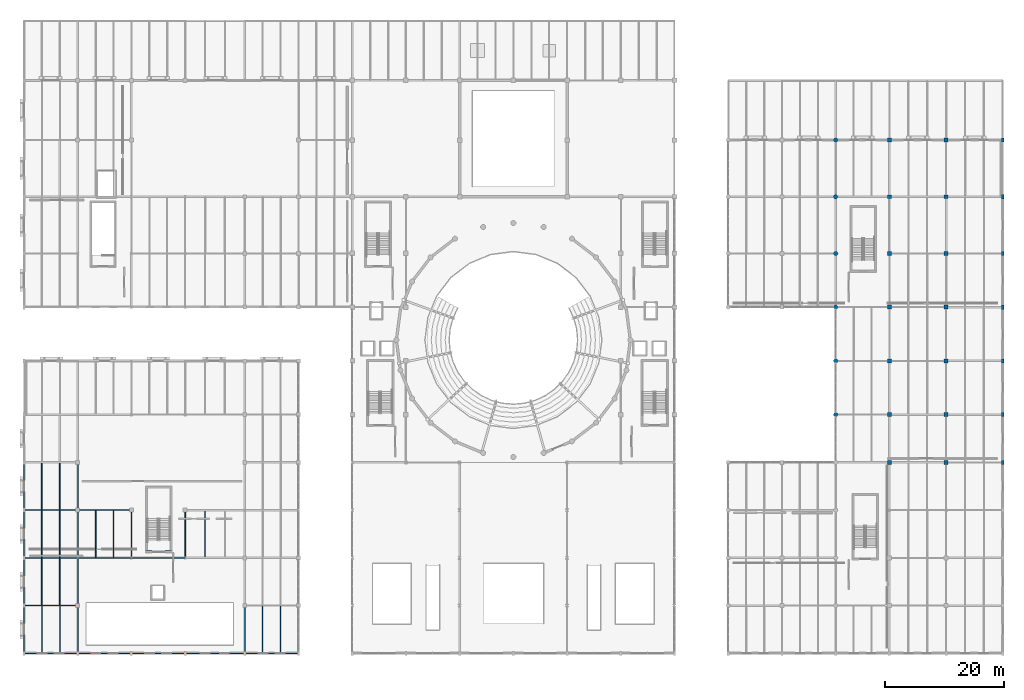
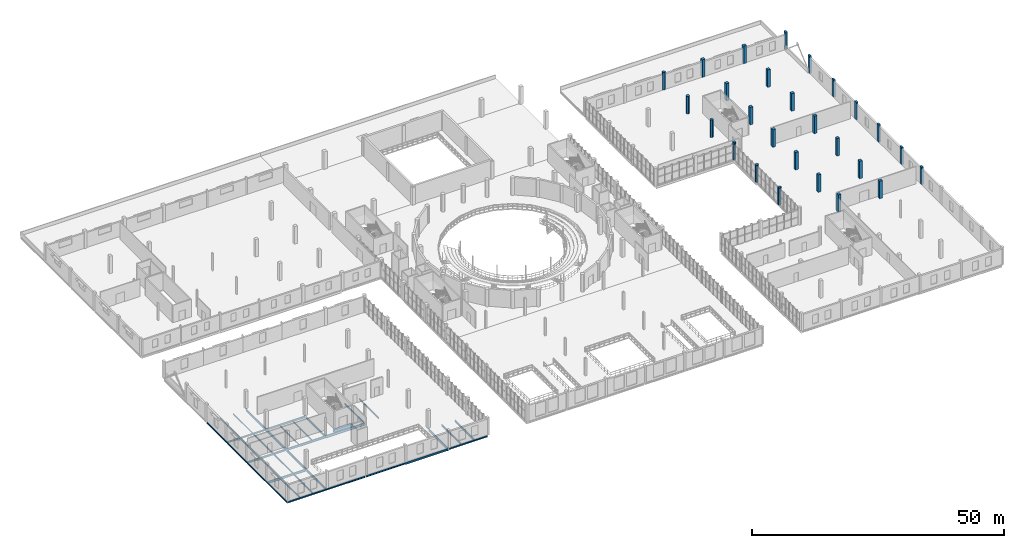
# One storey, part 17 of 85: 36 beams, 27 columns.
"""IFC4 building model written with IfcOpenShell, lengths in metres."""

from ifc_helpers import new_model, si_unit, direction, frame, origin, origin_2d, place, context, subcontext, project, spatial, rectangle, circle, i_section, extrude, material, material_profile, profile_set, type_object, element, save


model = new_model("IFC4")

# Units and contexts
model_context = context("Model", 3, precision=1e-05, world=origin(), true_north=direction((0.0, 1.0)))
body_context = subcontext(model_context, "Body", "Model", "MODEL_VIEW")
ifc_project = project(units=[si_unit("LENGTHUNIT", "METRE"), si_unit("AREAUNIT", "SQUARE_METRE"), si_unit("VOLUMEUNIT", "CUBIC_METRE"), si_unit("PLANEANGLEUNIT", "RADIAN"), si_unit("MASSUNIT", "GRAM", prefix="KILO")], contexts=[model_context])

# Site, building, storey
site_placement = place(None, origin())
site = spatial("IfcSite", under=ifc_project, at=site_placement, CompositionType="ELEMENT")
building_placement = place(site_placement, origin())
building = spatial("IfcBuilding", under=site, at=building_placement, Name="Marnock Terrace Opera House", CompositionType="ELEMENT")
storey_placement = place(building_placement, frame((0.0, 0.0, 10.199951171875)))
storey = spatial("IfcBuildingStorey", under=building, at=storey_placement, Name="L02", CompositionType="ELEMENT", Elevation=10.199951171875)

# Columns
ifc_material_1 = material(Name="Concrete N40 (f'c = 40 MPa)", Category="concrete")
ifc_material_profile_1 = material_profile(ifc_material_1, circle(Radius=0.35009765625, at=origin_2d()))
ifc_profile_set_1 = profile_set([ifc_material_profile_1], Name="Concrete N40 (f'c = 40 MPa)")
column_type_1 = type_object("IfcColumnType", Name="COL-LOGGIA-700", PredefinedType="COLUMN", material=ifc_profile_set_1)
for number, where, z_axis, x_axis, name in (
    (1, (136.0, 48.0, 0.0), (0.0, 0.0, 1.0), (1.0, 0.0, 0.0), "L02 column at (136.0, 48.0)"),
    (2, (136.0, 57.0, 0.0), (0.0, 0.0, 1.0), (1.0, 0.0, 0.0), "L02 column at (136.0, 57.0)"),
    (3, (136.0, 66.0, 0.0), (0.0, 0.0, 1.0), (1.0, 0.0, 0.0), "L02 column at (136.0, 66.0)"),
    (4, (136.0, 75.0, 0.0), (0.0, 0.0, 1.0), (1.0, 0.0, 0.0), "L02 column at (136.0, 75.0)"),
    (5, (136.0, 84.5, 0.0), (0.0, 0.0, 1.0), (1.0, 0.0, 0.0), "L02 column at (136.0, 84.5)"),
    (6, (136.0, 94.0, 0.0), (0.0, 0.0, 1.0), (1.0, 0.0, 0.0), "L02 column at (136.0, 94.0)"),
):
    element("IfcColumn", number, at=place(storey_placement, frame(where, z_axis=z_axis, x_axis=x_axis)), inside=storey, type_object=column_type_1, Name=name, PredefinedType="COLUMN", context=body_context, shape_type="SweptSolid", body=[
        extrude(circle(Radius=0.35009765625, at=origin_2d()), origin(), (0.0, 0.0, 1.0), 4.239990234375),
    ])
ifc_material_profile_2 = material_profile(ifc_material_1, rectangle(XDim=0.39990234375, YDim=0.699951171875, at=origin_2d()))
ifc_profile_set_2 = profile_set([ifc_material_profile_2], Name="Concrete N40 (f'c = 40 MPa)")
column_type_2 = type_object("IfcColumnType", Name="COL-PIL-700", PredefinedType="PILASTER", material=ifc_profile_set_2)
for number, where, z_axis, x_axis, name in (
    (7, (164.0, 40.0, 0.0), (0.0, 0.0, 1.0), (1.0, 0.0, 0.0), "L02 column at (164.0, 40.0)"),
    (8, (164.0, 48.0, 0.0), (0.0, 0.0, 1.0), (1.0, 0.0, 0.0), "L02 column at (164.0, 48.0)"),
    (9, (164.0, 57.0, 0.0), (0.0, 0.0, 1.0), (1.0, 0.0, 0.0), "L02 column at (164.0, 57.0)"),
    (10, (164.0, 66.0, 0.0), (0.0, 0.0, 1.0), (1.0, 0.0, 0.0), "L02 column at (164.0, 66.0)"),
    (11, (164.0, 75.0, 0.0), (0.0, 0.0, 1.0), (1.0, 0.0, 0.0), "L02 column at (164.0, 75.0)"),
    (12, (164.0, 84.5, 0.0), (0.0, 0.0, 1.0), (1.0, 0.0, 0.0), "L02 column at (164.0, 84.5)"),
    (13, (164.0, 94.0, 0.0), (0.0, 0.0, 1.0), (1.0, 0.0, 0.0), "L02 column at (164.0, 94.0)"),
):
    element("IfcColumn", number, at=place(storey_placement, frame(where, z_axis=z_axis, x_axis=x_axis)), inside=storey, type_object=column_type_2, Name=name, PredefinedType="PILASTER", context=body_context, shape_type="SweptSolid", body=[
        extrude(rectangle(XDim=0.39990234375, YDim=0.699951171875, at=origin_2d()), origin(), (0.0, 0.0, 1.0), 4.239990234375),
    ])
ifc_material_profile_3 = material_profile(ifc_material_1, rectangle(XDim=0.64990234375, YDim=0.64990234375, at=origin_2d()))
ifc_profile_set_3 = profile_set([ifc_material_profile_3], Name="Concrete N40 (f'c = 40 MPa)")
column_type_3 = type_object("IfcColumnType", Name="COL-RC650", PredefinedType="COLUMN", material=ifc_profile_set_3)
for number, where, z_axis, x_axis, name in (
    (14, (145.0, 40.0, 0.0), (0.0, 0.0, 1.0), (1.0, 0.0, 0.0), "L02 column at (145.0, 40.0)"),
    (15, (145.0, 48.0, 0.0), (0.0, 0.0, 1.0), (1.0, 0.0, 0.0), "L02 column at (145.0, 48.0)"),
    (16, (145.0, 57.0, 0.0), (0.0, 0.0, 1.0), (1.0, 0.0, 0.0), "L02 column at (145.0, 57.0)"),
    (17, (145.0, 66.0, 0.0), (0.0, 0.0, 1.0), (1.0, 0.0, 0.0), "L02 column at (145.0, 66.0)"),
    (18, (145.0, 75.0, 0.0), (0.0, 0.0, 1.0), (1.0, 0.0, 0.0), "L02 column at (145.0, 75.0)"),
    (19, (145.0, 84.5, 0.0), (0.0, 0.0, 1.0), (1.0, 0.0, 0.0), "L02 column at (145.0, 84.5)"),
    (20, (145.0, 94.0, 0.0), (0.0, 0.0, 1.0), (1.0, 0.0, 0.0), "L02 column at (145.0, 94.0)"),
    (21, (154.5, 40.0, 0.0), (0.0, 0.0, 1.0), (1.0, 0.0, 0.0), "L02 column at (154.5, 40.0)"),
    (22, (154.5, 48.0, 0.0), (0.0, 0.0, 1.0), (1.0, 0.0, 0.0), "L02 column at (154.5, 48.0)"),
    (23, (154.5, 57.0, 0.0), (0.0, 0.0, 1.0), (1.0, 0.0, 0.0), "L02 column at (154.5, 57.0)"),
    (24, (154.5, 66.0, 0.0), (0.0, 0.0, 1.0), (1.0, 0.0, 0.0), "L02 column at (154.5, 66.0)"),
    (25, (154.5, 75.0, 0.0), (0.0, 0.0, 1.0), (1.0, 0.0, 0.0), "L02 column at (154.5, 75.0)"),
    (26, (154.5, 84.5, 0.0), (0.0, 0.0, 1.0), (1.0, 0.0, 0.0), "L02 column at (154.5, 84.5)"),
    (27, (154.5, 94.0, 0.0), (0.0, 0.0, 1.0), (1.0, 0.0, 0.0), "L02 column at (154.5, 94.0)"),
):
    element("IfcColumn", number, at=place(storey_placement, frame(where, z_axis=z_axis, x_axis=x_axis)), inside=storey, type_object=column_type_3, Name=name, PredefinedType="COLUMN", context=body_context, shape_type="SweptSolid", body=[
        extrude(rectangle(XDim=0.64990234375, YDim=0.64990234375, at=origin_2d()), origin(), (0.0, 0.0, 1.0), 4.239990234375),
    ])

# Beams
ifc_material_2 = material(Name="Steel Grade 350 (AS/NZS 3679.1)", Category="steel")
ifc_material_profile_4 = material_profile(ifc_material_2, i_section(OverallWidth=0.1708984375, OverallDepth=0.355712890625, WebThickness=0.00732421875, FlangeThickness=0.011474609375, FilletRadius=0.011474609375, at=origin_2d()))
ifc_profile_set_4 = profile_set([ifc_material_profile_4], Name="Steel Grade 350 (AS/NZS 3679.1)")
beam_type_1 = type_object("IfcBeamType", Name="BM-GIRD-360", PredefinedType="BEAM", material=ifc_profile_set_4)
beam_1_placement = place(storey_placement, frame((27.0, 24.050048828125, -0.437744140625), z_axis=(0.0, 1.0, 0.0), x_axis=(-1.0, 0.0, 0.0)))
element("IfcBeam", 28, at=beam_1_placement, inside=storey, type_object=beam_type_1, Name="L02 girder (X=27.0, 24.0..32.0)", PredefinedType="BEAM", context=body_context, shape_type="SweptSolid", body=[
    extrude(i_section(OverallWidth=0.1708984375, OverallDepth=0.355712890625, WebThickness=0.00732421875, FlangeThickness=0.011474609375, FilletRadius=0.011474609375, at=origin_2d()), origin(), (0.0, 0.0, 1.0), 7.89990234375),
])
ifc_material_profile_5 = material_profile(ifc_material_2, i_section(OverallWidth=0.177978515625, OverallDepth=0.402587890625, WebThickness=0.007568359375, FlangeThickness=0.010986328125, FilletRadius=0.011474609375, at=origin_2d()))
ifc_profile_set_5 = profile_set([ifc_material_profile_5], Name="Steel Grade 350 (AS/NZS 3679.1)")
beam_type_2 = type_object("IfcBeamType", Name="BM-GIRD-410", PredefinedType="BEAM", material=ifc_profile_set_5)
beam_2_placement = place(storey_placement, frame((0.050048828125, 32.0, -0.461181640625), z_axis=(1.0, 0.0, 0.0), x_axis=(0.0, 1.0, 0.0)))
element("IfcBeam", 29, at=beam_2_placement, inside=storey, type_object=beam_type_2, Name="L02 girder (0.0..9.0, Y=32.0)", PredefinedType="BEAM", context=body_context, shape_type="SweptSolid", body=[
    extrude(i_section(OverallWidth=0.177978515625, OverallDepth=0.402587890625, WebThickness=0.007568359375, FlangeThickness=0.010986328125, FilletRadius=0.011474609375, at=origin_2d()), origin(), (0.0, 0.0, 1.0), 8.89990234375),
])
ifc_material_profile_6 = material_profile(ifc_material_2, i_section(OverallWidth=0.19091796875, OverallDepth=0.46044921875, WebThickness=0.010009765625, FlangeThickness=0.01611328125, FilletRadius=0.011474609375, at=origin_2d()))
ifc_profile_set_6 = profile_set([ifc_material_profile_6], Name="Steel Grade 350 (AS/NZS 3679.1)")
beam_type_3 = type_object("IfcBeamType", Name="BM-GIRD-460A", PredefinedType="BEAM", material=ifc_profile_set_6)
for number, where, z_axis, x_axis, name in (
    (30, (0.050048828125, 24.0, -0.490234375), (1.0, 0.0, 0.0), (0.0, 1.0, 0.0), "L02 girder (0.0..9.0, Y=24.0)"),
    (31, (9.050048828125, 32.0, -0.490234375), (1.0, 0.0, 0.0), (0.0, 1.0, 0.0), "L02 girder (9.0..18.0, Y=32.0)"),
):
    element("IfcBeam", number, at=place(storey_placement, frame(where, z_axis=z_axis, x_axis=x_axis)), inside=storey, type_object=beam_type_3, Name=name, PredefinedType="BEAM", context=body_context, shape_type="SweptSolid", body=[
        extrude(i_section(OverallWidth=0.19091796875, OverallDepth=0.46044921875, WebThickness=0.010009765625, FlangeThickness=0.01611328125, FilletRadius=0.011474609375, at=origin_2d()), origin(), (0.0, 0.0, 1.0), 8.89990234375),
    ])
ifc_material_profile_7 = material_profile(ifc_material_2, i_section(OverallWidth=0.18994140625, OverallDepth=0.45751953125, WebThickness=0.009033203125, FlangeThickness=0.014404296875, FilletRadius=0.011474609375, at=origin_2d()))
ifc_profile_set_7 = profile_set([ifc_material_profile_7], Name="Steel Grade 350 (AS/NZS 3679.1)")
beam_type_4 = type_object("IfcBeamType", Name="BM-GIRD-460B", PredefinedType="BEAM", material=ifc_profile_set_7)
beam_3_placement = place(storey_placement, frame((18.0, 24.050048828125, -0.48876953125), z_axis=(0.0, 1.0, 0.0), x_axis=(-1.0, 0.0, 0.0)))
element("IfcBeam", 32, at=beam_3_placement, inside=storey, type_object=beam_type_4, Name="L02 girder (X=18.0, 24.0..32.0)", PredefinedType="BEAM", context=body_context, shape_type="SweptSolid", body=[
    extrude(i_section(OverallWidth=0.18994140625, OverallDepth=0.45751953125, WebThickness=0.009033203125, FlangeThickness=0.014404296875, FilletRadius=0.011474609375, at=origin_2d()), origin(), (0.0, 0.0, 1.0), 7.89990234375),
])
ifc_material_profile_8 = material_profile(ifc_material_2, i_section(OverallWidth=0.208984375, OverallDepth=0.532958984375, WebThickness=0.01025390625, FlangeThickness=0.015625, FilletRadius=0.013916015625, at=origin_2d()))
ifc_profile_set_8 = profile_set([ifc_material_profile_8], Name="Steel Grade 350 (AS/NZS 3679.1)")
beam_type_5 = type_object("IfcBeamType", Name="BM-GIRD-530A", PredefinedType="BEAM", material=ifc_profile_set_8)
for number, where, z_axis, x_axis, name in (
    (33, (0.050048828125, 16.0, -0.5263671875), (1.0, 0.0, 0.0), (0.0, 1.0, 0.0), "L02 girder (0.0..9.0, Y=16.0)"),
    (34, (9.050048828125, 24.0, -0.5263671875), (1.0, 0.0, 0.0), (0.0, 1.0, 0.0), "L02 girder (9.0..18.0, Y=24.0)"),
):
    element("IfcBeam", number, at=place(storey_placement, frame(where, z_axis=z_axis, x_axis=x_axis)), inside=storey, type_object=beam_type_5, Name=name, PredefinedType="BEAM", context=body_context, shape_type="SweptSolid", body=[
        extrude(i_section(OverallWidth=0.208984375, OverallDepth=0.532958984375, WebThickness=0.01025390625, FlangeThickness=0.015625, FilletRadius=0.013916015625, at=origin_2d()), origin(), (0.0, 0.0, 1.0), 8.89990234375),
    ])
ifc_material_profile_9 = material_profile(ifc_material_2, i_section(OverallWidth=0.208984375, OverallDepth=0.528076171875, WebThickness=0.009521484375, FlangeThickness=0.01318359375, FilletRadius=0.013916015625, at=origin_2d()))
ifc_profile_set_9 = profile_set([ifc_material_profile_9], Name="Steel Grade 350 (AS/NZS 3679.1)")
beam_type_6 = type_object("IfcBeamType", Name="BM-GIRD-530B", PredefinedType="BEAM", material=ifc_profile_set_9)
for number, where, z_axis, x_axis, name in (
    (35, (9.0, 8.050048828125, -0.52392578125), (0.0, 1.0, 0.0), (-1.0, 0.0, 0.0), "L02 girder (X=9.0, 8.0..16.0)"),
    (36, (9.0, 16.050048828125, -0.52392578125), (0.0, 1.0, 0.0), (-1.0, 0.0, 0.0), "L02 girder (X=9.0, 16.0..24.0)"),
    (37, (9.0, 24.050048828125, -0.52392578125), (0.0, 1.0, 0.0), (-1.0, 0.0, 0.0), "L02 girder (X=9.0, 24.0..32.0)"),
    (38, (9.0, 32.050048828125, -0.52392578125), (0.0, 1.0, 0.0), (-1.0, 0.0, 0.0), "L02 girder (X=9.0, 32.0..40.0)"),
):
    element("IfcBeam", number, at=place(storey_placement, frame(where, z_axis=z_axis, x_axis=x_axis)), inside=storey, type_object=beam_type_6, Name=name, PredefinedType="BEAM", context=body_context, shape_type="SweptSolid", body=[
        extrude(i_section(OverallWidth=0.208984375, OverallDepth=0.528076171875, WebThickness=0.009521484375, FlangeThickness=0.01318359375, FilletRadius=0.013916015625, at=origin_2d()), origin(), (0.0, 0.0, 1.0), 7.89990234375),
    ])
ifc_material_profile_10 = material_profile(ifc_material_2, i_section(OverallWidth=0.22802734375, OverallDepth=0.60693359375, WebThickness=0.01123046875, FlangeThickness=0.017333984375, FilletRadius=0.013916015625, at=origin_2d()))
ifc_profile_set_10 = profile_set([ifc_material_profile_10], Name="Steel Grade 350 (AS/NZS 3679.1)")
beam_type_7 = type_object("IfcBeamType", Name="BM-GIRD-610B", PredefinedType="BEAM", material=ifc_profile_set_10)
beam_4_placement = place(storey_placement, frame((18.050048828125, 24.0, -0.5634765625), z_axis=(1.0, 0.0, 0.0), x_axis=(0.0, 1.0, 0.0)))
element("IfcBeam", 39, at=beam_4_placement, inside=storey, type_object=beam_type_7, Name="L02 girder (18.0..27.0, Y=24.0)", PredefinedType="BEAM", context=body_context, shape_type="SweptSolid", body=[
    extrude(i_section(OverallWidth=0.22802734375, OverallDepth=0.60693359375, WebThickness=0.01123046875, FlangeThickness=0.017333984375, FilletRadius=0.013916015625, at=origin_2d()), origin(), (0.0, 0.0, 1.0), 8.89990234375),
])
ifc_material_profile_11 = material_profile(ifc_material_2, i_section(OverallWidth=0.22802734375, OverallDepth=0.60205078125, WebThickness=0.010498046875, FlangeThickness=0.014892578125, FilletRadius=0.013916015625, at=origin_2d()))
ifc_profile_set_11 = profile_set([ifc_material_profile_11], Name="Steel Grade 350 (AS/NZS 3679.1)")
beam_type_8 = type_object("IfcBeamType", Name="BM-GIRD-610C", PredefinedType="BEAM", material=ifc_profile_set_11)
beam_5_placement = place(storey_placement, frame((37.0, 8.050048828125, -0.56103515625), z_axis=(0.0, 1.0, 0.0), x_axis=(-1.0, 0.0, 0.0)))
element("IfcBeam", 40, at=beam_5_placement, inside=storey, type_object=beam_type_8, Name="L02 girder (X=37.0, 8.0..16.0)", PredefinedType="BEAM", context=body_context, shape_type="SweptSolid", body=[
    extrude(i_section(OverallWidth=0.22802734375, OverallDepth=0.60205078125, WebThickness=0.010498046875, FlangeThickness=0.014892578125, FilletRadius=0.013916015625, at=origin_2d()), origin(), (0.0, 0.0, 1.0), 7.89990234375),
])
ifc_material_profile_12 = material_profile(ifc_material_2, i_section(OverallWidth=0.14599609375, OverallDepth=0.256103515625, WebThickness=0.00634765625, FlangeThickness=0.010986328125, FilletRadius=0.0087890625, at=origin_2d()))
ifc_profile_set_12 = profile_set([ifc_material_profile_12], Name="Steel Grade 350 (AS/NZS 3679.1)")
beam_type_9 = type_object("IfcBeamType", Name="BM-JOIST-250", PredefinedType="JOIST", material=ifc_profile_set_12)
for number, where, z_axis, x_axis, name in (
    (41, (3.0, 32.083984375, -0.387939453125), (0.0, 1.0, 0.0), (-1.0, 0.0, 0.0), "L02 secondary joist 0.4.1"),
    (42, (6.0, 32.083984375, -0.387939453125), (0.0, 1.0, 0.0), (-1.0, 0.0, 0.0), "L02 secondary joist 0.4.2"),
):
    element("IfcBeam", number, at=place(storey_placement, frame(where, z_axis=z_axis, x_axis=x_axis)), inside=storey, type_object=beam_type_9, Name=name, PredefinedType="JOIST", context=body_context, shape_type="SweptSolid", body=[
        extrude(i_section(OverallWidth=0.14599609375, OverallDepth=0.256103515625, WebThickness=0.00634765625, FlangeThickness=0.010986328125, FilletRadius=0.0087890625, at=origin_2d()), origin(), (0.0, 0.0, 1.0), 7.806396484375),
    ])
for number, where, z_axis, x_axis, name in (
    (43, (12.0, 24.099609375, -0.387939453125), (0.0, 1.0, 0.0), (-1.0, 0.0, 0.0), "L02 secondary joist 1.3.1"),
    (44, (15.0, 24.099609375, -0.387939453125), (0.0, 1.0, 0.0), (-1.0, 0.0, 0.0), "L02 secondary joist 1.3.2"),
):
    element("IfcBeam", number, at=place(storey_placement, frame(where, z_axis=z_axis, x_axis=x_axis)), inside=storey, type_object=beam_type_9, Name=name, PredefinedType="JOIST", context=body_context, shape_type="SweptSolid", body=[
        extrude(i_section(OverallWidth=0.14599609375, OverallDepth=0.256103515625, WebThickness=0.00634765625, FlangeThickness=0.010986328125, FilletRadius=0.0087890625, at=origin_2d()), origin(), (0.0, 0.0, 1.0), 7.809814453125),
    ])
ifc_material_profile_13 = material_profile(ifc_material_2, i_section(OverallWidth=0.166015625, OverallDepth=0.30712890625, WebThickness=0.006591796875, FlangeThickness=0.01171875, FilletRadius=0.011474609375, at=origin_2d()))
ifc_profile_set_13 = profile_set([ifc_material_profile_13], Name="Steel Grade 350 (AS/NZS 3679.1)")
beam_type_10 = type_object("IfcBeamType", Name="BM-JOIST-310A", PredefinedType="JOIST", material=ifc_profile_set_13)
for number, where, z_axis, x_axis, name in (
    (45, (3.0, 16.099609375, -0.41357421875), (0.0, 1.0, 0.0), (-1.0, 0.0, 0.0), "L02 secondary joist 0.2.1"),
    (46, (6.0, 16.099609375, -0.41357421875), (0.0, 1.0, 0.0), (-1.0, 0.0, 0.0), "L02 secondary joist 0.2.2"),
):
    element("IfcBeam", number, at=place(storey_placement, frame(where, z_axis=z_axis, x_axis=x_axis)), inside=storey, type_object=beam_type_10, Name=name, PredefinedType="JOIST", context=body_context, shape_type="SweptSolid", body=[
        extrude(i_section(OverallWidth=0.166015625, OverallDepth=0.30712890625, WebThickness=0.006591796875, FlangeThickness=0.01171875, FilletRadius=0.011474609375, at=origin_2d()), origin(), (0.0, 0.0, 1.0), 7.809814453125),
    ])
ifc_material_profile_14 = material_profile(ifc_material_2, i_section(OverallWidth=0.1650390625, OverallDepth=0.3037109375, WebThickness=0.006103515625, FlangeThickness=0.01025390625, FilletRadius=0.011474609375, at=origin_2d()))
ifc_profile_set_14 = profile_set([ifc_material_profile_14], Name="Steel Grade 350 (AS/NZS 3679.1)")
beam_type_11 = type_object("IfcBeamType", Name="BM-JOIST-310B", PredefinedType="JOIST", material=ifc_profile_set_14)
for number, where, z_axis, x_axis, name in (
    (47, (3.0, 24.090576171875, -0.411865234375), (0.0, 1.0, 0.0), (-1.0, 0.0, 0.0), "L02 secondary joist 0.3.1"),
    (48, (6.0, 24.090576171875, -0.411865234375), (0.0, 1.0, 0.0), (-1.0, 0.0, 0.0), "L02 secondary joist 0.3.2"),
):
    element("IfcBeam", number, at=place(storey_placement, frame(where, z_axis=z_axis, x_axis=x_axis)), inside=storey, type_object=beam_type_11, Name=name, PredefinedType="JOIST", context=body_context, shape_type="SweptSolid", body=[
        extrude(i_section(OverallWidth=0.1650390625, OverallDepth=0.3037109375, WebThickness=0.006103515625, FlangeThickness=0.01025390625, FilletRadius=0.011474609375, at=origin_2d()), origin(), (0.0, 0.0, 1.0), 7.825439453125),
    ])
ifc_material_profile_15 = material_profile(ifc_material_2, i_section(OverallWidth=0.172119140625, OverallDepth=0.358642578125, WebThickness=0.008056640625, FlangeThickness=0.012939453125, FilletRadius=0.011474609375, at=origin_2d()))
ifc_profile_set_15 = profile_set([ifc_material_profile_15], Name="Steel Grade 350 (AS/NZS 3679.1)")
beam_type_12 = type_object("IfcBeamType", Name="BM-JOIST-360", PredefinedType="JOIST", material=ifc_profile_set_15)
for number, where, z_axis, x_axis, name in (
    (49, (3.0, 8.0810546875, -0.439208984375), (0.0, 1.0, 0.0), (-1.0, 0.0, 0.0), "L02 secondary joist 0.1.1"),
    (50, (6.0, 8.0810546875, -0.439208984375), (0.0, 1.0, 0.0), (-1.0, 0.0, 0.0), "L02 secondary joist 0.1.2"),
):
    element("IfcBeam", number, at=place(storey_placement, frame(where, z_axis=z_axis, x_axis=x_axis)), inside=storey, type_object=beam_type_12, Name=name, PredefinedType="JOIST", context=body_context, shape_type="SweptSolid", body=[
        extrude(i_section(OverallWidth=0.172119140625, OverallDepth=0.358642578125, WebThickness=0.008056640625, FlangeThickness=0.012939453125, FilletRadius=0.011474609375, at=origin_2d()), origin(), (0.0, 0.0, 1.0), 7.8193359375),
    ])
beam_6_placement = place(storey_placement, frame((30.333251953125, 24.109619140625, -0.439208984375), z_axis=(0.0, 1.0, 0.0), x_axis=(-1.0, 0.0, 0.0)))
element("IfcBeam", 51, at=beam_6_placement, inside=storey, type_object=beam_type_12, Name="L02 secondary joist 3.3.1", PredefinedType="JOIST", context=body_context, shape_type="SweptSolid", body=[
    extrude(i_section(OverallWidth=0.172119140625, OverallDepth=0.358642578125, WebThickness=0.008056640625, FlangeThickness=0.012939453125, FilletRadius=0.011474609375, at=origin_2d()), origin(), (0.0, 0.0, 1.0), 7.781494140625),
])
ifc_material_profile_16 = material_profile(ifc_material_2, i_section(OverallWidth=0.177978515625, OverallDepth=0.406494140625, WebThickness=0.0078125, FlangeThickness=0.0126953125, FilletRadius=0.011474609375, at=origin_2d()))
ifc_profile_set_16 = profile_set([ifc_material_profile_16], Name="Steel Grade 350 (AS/NZS 3679.1)")
beam_type_13 = type_object("IfcBeamType", Name="BM-JOIST-410", PredefinedType="JOIST", material=ifc_profile_set_16)
for number, where, z_axis, x_axis, name in (
    (52, (40.0, 8.0810546875, -0.463134765625), (0.0, 1.0, 0.0), (-1.0, 0.0, 0.0), "L02 secondary joist 4.1.1"),
    (53, (43.0, 8.0810546875, -0.463134765625), (0.0, 1.0, 0.0), (-1.0, 0.0, 0.0), "L02 secondary joist 4.1.2"),
):
    element("IfcBeam", number, at=place(storey_placement, frame(where, z_axis=z_axis, x_axis=x_axis)), inside=storey, type_object=beam_type_13, Name=name, PredefinedType="JOIST", context=body_context, shape_type="SweptSolid", body=[
        extrude(i_section(OverallWidth=0.177978515625, OverallDepth=0.406494140625, WebThickness=0.0078125, FlangeThickness=0.0126953125, FilletRadius=0.011474609375, at=origin_2d()), origin(), (0.0, 0.0, 1.0), 7.8349609375),
    ])
ifc_material_profile_17 = material_profile(ifc_material_1, rectangle(XDim=0.39990234375, YDim=0.64990234375, at=origin_2d()))
ifc_profile_set_17 = profile_set([ifc_material_profile_17], Name="Concrete N40 (f'c = 40 MPa)")
beam_type_14 = type_object("IfcBeamType", Name="BM-LINT-RC400", PredefinedType="LINTEL", material=ifc_profile_set_17)
beam_7_placement = place(storey_placement, frame((20.43994140625, 25.0, -0.60986328125), z_axis=(1.0, 0.0, 0.0), x_axis=(0.0, 1.0, 0.0)))
element("IfcBeam", 54, at=beam_7_placement, inside=storey, type_object=beam_type_14, Name="L01 Core C5 coupling lintel", PredefinedType="LINTEL", context=body_context, shape_type="SweptSolid", body=[
    extrude(rectangle(XDim=0.39990234375, YDim=0.64990234375, at=origin_2d()), origin(), (0.0, 0.0, 1.0), 4.280029296875),
])
ifc_material_profile_18 = material_profile(ifc_material_2, i_section(OverallWidth=0.172119140625, OverallDepth=0.358642578125, WebThickness=0.008056640625, FlangeThickness=0.012939453125, FilletRadius=0.011474609375, at=origin_2d()))
ifc_profile_set_18 = profile_set([ifc_material_profile_18], Name="Steel Grade 350 (AS/NZS 3679.1)")
beam_type_15 = type_object("IfcBeamType", Name="BM-SPAN-360", PredefinedType="SPANDREL", material=ifc_profile_set_18)
for number, where, z_axis, x_axis, name in (
    (55, (0.050048828125, 8.0, -0.439208984375), (1.0, 0.0, 0.0), (0.0, 1.0, 0.0), "L02 girder (0.0..9.0, Y=8.0)"),
    (56, (9.050048828125, 8.0, -0.439208984375), (1.0, 0.0, 0.0), (0.0, 1.0, 0.0), "L02 girder (9.0..18.0, Y=8.0)"),
    (57, (18.050048828125, 8.0, -0.439208984375), (1.0, 0.0, 0.0), (0.0, 1.0, 0.0), "L02 girder (18.0..27.0, Y=8.0)"),
    (58, (37.050048828125, 8.0, -0.439208984375), (1.0, 0.0, 0.0), (0.0, 1.0, 0.0), "L02 girder (37.0..46.0, Y=8.0)"),
):
    element("IfcBeam", number, at=place(storey_placement, frame(where, z_axis=z_axis, x_axis=x_axis)), inside=storey, type_object=beam_type_15, Name=name, PredefinedType="SPANDREL", context=body_context, shape_type="SweptSolid", body=[
        extrude(i_section(OverallWidth=0.172119140625, OverallDepth=0.358642578125, WebThickness=0.008056640625, FlangeThickness=0.012939453125, FilletRadius=0.011474609375, at=origin_2d()), origin(), (0.0, 0.0, 1.0), 8.89990234375),
    ])
for number, where, z_axis, x_axis, name in (
    (59, (0.0, 8.050048828125, -0.439208984375), (0.0, 1.0, 0.0), (-1.0, 0.0, 0.0), "L02 girder (X=0.0, 8.0..16.0)"),
    (60, (0.0, 16.050048828125, -0.439208984375), (0.0, 1.0, 0.0), (-1.0, 0.0, 0.0), "L02 girder (X=0.0, 16.0..24.0)"),
    (61, (0.0, 24.050048828125, -0.439208984375), (0.0, 1.0, 0.0), (-1.0, 0.0, 0.0), "L02 girder (X=0.0, 24.0..32.0)"),
    (62, (0.0, 32.050048828125, -0.439208984375), (0.0, 1.0, 0.0), (-1.0, 0.0, 0.0), "L02 girder (X=0.0, 32.0..40.0)"),
):
    element("IfcBeam", number, at=place(storey_placement, frame(where, z_axis=z_axis, x_axis=x_axis)), inside=storey, type_object=beam_type_15, Name=name, PredefinedType="SPANDREL", context=body_context, shape_type="SweptSolid", body=[
        extrude(i_section(OverallWidth=0.172119140625, OverallDepth=0.358642578125, WebThickness=0.008056640625, FlangeThickness=0.012939453125, FilletRadius=0.011474609375, at=origin_2d()), origin(), (0.0, 0.0, 1.0), 7.89990234375),
    ])
ifc_material_profile_19 = material_profile(ifc_material_2, i_section(OverallWidth=0.19091796875, OverallDepth=0.46044921875, WebThickness=0.010009765625, FlangeThickness=0.01611328125, FilletRadius=0.011474609375, at=origin_2d()))
ifc_profile_set_19 = profile_set([ifc_material_profile_19], Name="Steel Grade 350 (AS/NZS 3679.1)")
beam_type_16 = type_object("IfcBeamType", Name="BM-SPAN-460", PredefinedType="SPANDREL", material=ifc_profile_set_19)
beam_8_placement = place(storey_placement, frame((27.050048828125, 8.0, -0.490234375), z_axis=(1.0, 0.0, 0.0), x_axis=(0.0, 1.0, 0.0)))
element("IfcBeam", 63, at=beam_8_placement, inside=storey, type_object=beam_type_16, Name="L02 girder (27.0..37.0, Y=8.0)", PredefinedType="SPANDREL", context=body_context, shape_type="SweptSolid", body=[
    extrude(i_section(OverallWidth=0.19091796875, OverallDepth=0.46044921875, WebThickness=0.010009765625, FlangeThickness=0.01611328125, FilletRadius=0.011474609375, at=origin_2d()), origin(), (0.0, 0.0, 1.0), 9.89990234375),
])

save(model, "model.ifc")
